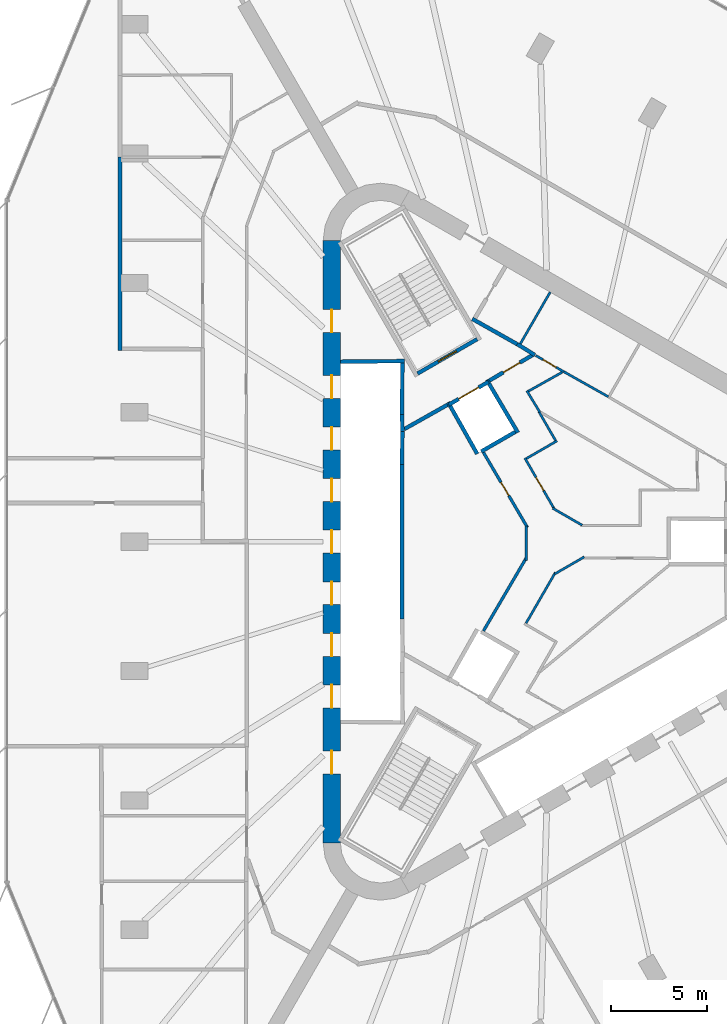
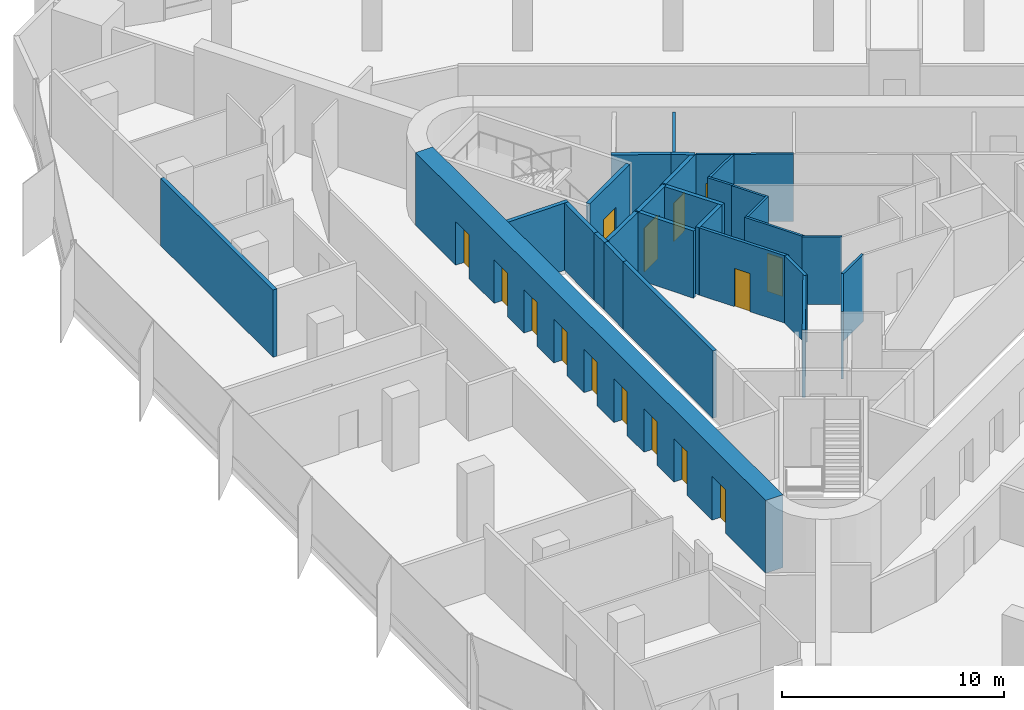
# One storey, part 10 of 14: 30 walls, 15 doors, 15 openings.
"""IFC4 building model written with IfcOpenShell, lengths in metres."""

from ifc_helpers import new_model, si_unit, direction, frame, frame_2d, origin, place, context, subcontext, project, spatial, rectangle, extrude, material, layer, layer_set, type_object, element, fill, save


model = new_model("IFC4")

# Units and contexts
model_context = context("Model", 3, precision=1e-05, world=origin(), true_north=direction((0.0, 1.0)))
body_context = subcontext(model_context, "Body", "Model", "MODEL_VIEW")
ifc_project = project(units=[si_unit("LENGTHUNIT", "METRE"), si_unit("AREAUNIT", "SQUARE_METRE"), si_unit("VOLUMEUNIT", "CUBIC_METRE"), si_unit("PLANEANGLEUNIT", "RADIAN"), si_unit("MASSUNIT", "GRAM", prefix="KILO")], contexts=[model_context])

# Site, building, storey
site_placement = place(None, origin())
site = spatial("IfcSite", under=ifc_project, at=site_placement, CompositionType="ELEMENT")
building_placement = place(site_placement, origin())
building = spatial("IfcBuilding", under=site, at=building_placement, Name="Tanit Gate Tower", CompositionType="ELEMENT")
storey_placement = place(building_placement, frame((0.0, 0.0, 233.199951171875)))
storey = spatial("IfcBuildingStorey", under=building, at=storey_placement, Name="L52", CompositionType="ELEMENT", Elevation=233.199951171875)

# Wall, openings, doors
ifc_material_1 = material(Name="Concrete C50/60", Category="concrete")
ifc_layer_1 = layer(ifc_material_1, 0.89990234375)
ifc_layer_set_1 = layer_set([ifc_layer_1], Name="CORE WALL 900 C50/60")
wall_type_1 = type_object("IfcWallType", Name="CORE WALL 900 C50/60", PredefinedType="SHEAR", material=ifc_layer_set_1)
wall_1_placement = place(storey_placement, frame((-11.64990234375, 15.76171875, 0.0), z_axis=(0.0, 0.0, 1.0), x_axis=(0.0, -1.0, 0.0)))
wall_1 = element("IfcWall", 1, at=wall_1_placement, inside=storey, type_object=wall_type_1, Name="CORE WALL", PredefinedType="SHEAR", context=body_context, shape_type="SweptSolid", body=[
    extrude(rectangle(XDim=31.5234375, YDim=0.89990234375, at=frame_2d((15.76171875, 0.0))), origin(), (0.0, 0.0, 1.0), 4.0),
])
opening_1_placement = place(wall_1_placement, frame((7.061767578125, 0.0, 0.0)))
opening_1 = element("IfcOpeningElement", 2, at=opening_1_placement, cuts=wall_1, Name="Opening LDML1-S14", PredefinedType="OPENING", context=body_context, shape_type="SweptSolid", body=[
    extrude(rectangle(XDim=1.199951171875, YDim=2.39990234375, at=frame_2d((0.60009765625, 1.199951171875))), frame((0.0, 0.4599609375, 0.0), z_axis=(0.0, -1.0, 0.0), x_axis=(1.0, 0.0, 0.0)), (0.0, 0.0, 1.0), 0.919921875),
])
opening_2_placement = place(wall_1_placement, frame((9.76171875, 0.0, 0.0)))
opening_2 = element("IfcOpeningElement", 3, at=opening_2_placement, cuts=wall_1, Name="Opening LDML2-S14", PredefinedType="OPENING", context=body_context, shape_type="SweptSolid", body=[
    extrude(rectangle(XDim=1.199951171875, YDim=2.39990234375, at=frame_2d((0.60009765625, 1.199951171875))), frame((0.0, 0.4599609375, 0.0), z_axis=(0.0, -1.0, 0.0), x_axis=(1.0, 0.0, 0.0)), (0.0, 0.0, 1.0), 0.919921875),
])
opening_3_placement = place(wall_1_placement, frame((12.461669921875, 0.0, 0.0)))
opening_3 = element("IfcOpeningElement", 4, at=opening_3_placement, cuts=wall_1, Name="Opening LDML3-S14", PredefinedType="OPENING", context=body_context, shape_type="SweptSolid", body=[
    extrude(rectangle(XDim=1.199951171875, YDim=2.39990234375, at=frame_2d((0.60009765625, 1.199951171875))), frame((0.0, 0.4599609375, 0.0), z_axis=(0.0, -1.0, 0.0), x_axis=(1.0, 0.0, 0.0)), (0.0, 0.0, 1.0), 0.919921875),
])
opening_4_placement = place(wall_1_placement, frame((15.16162109375, 0.0, 0.0)))
opening_4 = element("IfcOpeningElement", 5, at=opening_4_placement, cuts=wall_1, Name="Opening LDML4-S14", PredefinedType="OPENING", context=body_context, shape_type="SweptSolid", body=[
    extrude(rectangle(XDim=1.199951171875, YDim=2.39990234375, at=frame_2d((0.60009765625, 1.199951171875))), frame((0.0, 0.4599609375, 0.0), z_axis=(0.0, -1.0, 0.0), x_axis=(1.0, 0.0, 0.0)), (0.0, 0.0, 1.0), 0.919921875),
])
opening_5_placement = place(wall_1_placement, frame((17.86181640625, 0.0, 0.0)))
opening_5 = element("IfcOpeningElement", 6, at=opening_5_placement, cuts=wall_1, Name="Opening LDML5-S14", PredefinedType="OPENING", context=body_context, shape_type="SweptSolid", body=[
    extrude(rectangle(XDim=1.199951171875, YDim=2.39990234375, at=frame_2d((0.60009765625, 1.199951171875))), frame((0.0, 0.4599609375, 0.0), z_axis=(0.0, -1.0, 0.0), x_axis=(1.0, 0.0, 0.0)), (0.0, 0.0, 1.0), 0.919921875),
])
opening_6_placement = place(wall_1_placement, frame((20.561767578125, 0.0, 0.0)))
opening_6 = element("IfcOpeningElement", 7, at=opening_6_placement, cuts=wall_1, Name="Opening LDML6-S14", PredefinedType="OPENING", context=body_context, shape_type="SweptSolid", body=[
    extrude(rectangle(XDim=1.199951171875, YDim=2.39990234375, at=frame_2d((0.60009765625, 1.199951171875))), frame((0.0, 0.4599609375, 0.0), z_axis=(0.0, -1.0, 0.0), x_axis=(1.0, 0.0, 0.0)), (0.0, 0.0, 1.0), 0.919921875),
])
opening_7_placement = place(wall_1_placement, frame((23.26171875, 0.0, 0.0)))
opening_7 = element("IfcOpeningElement", 8, at=opening_7_placement, cuts=wall_1, Name="Opening LDML7-S14", PredefinedType="OPENING", context=body_context, shape_type="SweptSolid", body=[
    extrude(rectangle(XDim=1.199951171875, YDim=2.39990234375, at=frame_2d((0.60009765625, 1.199951171875))), frame((0.0, 0.4599609375, 0.0), z_axis=(0.0, -1.0, 0.0), x_axis=(1.0, 0.0, 0.0)), (0.0, 0.0, 1.0), 0.919921875),
])
opening_8_placement = place(wall_1_placement, frame((3.61181640625, 0.0, 0.0)))
opening_8 = element("IfcOpeningElement", 9, at=opening_8_placement, cuts=wall_1, Name="Opening F12-S14-FL2", PredefinedType="OPENING", context=body_context, shape_type="SweptSolid", body=[
    extrude(rectangle(XDim=1.199951171875, YDim=2.39990234375, at=frame_2d((0.60009765625, 1.199951171875))), frame((0.0, 0.4599609375, 0.0), z_axis=(0.0, -1.0, 0.0), x_axis=(1.0, 0.0, 0.0)), (0.0, 0.0, 1.0), 0.919921875),
])
opening_9_placement = place(wall_1_placement, frame((26.711669921875, 0.0, 0.0)))
opening_9 = element("IfcOpeningElement", 10, at=opening_9_placement, cuts=wall_1, Name="Opening F12-S14-S3", PredefinedType="OPENING", context=body_context, shape_type="SweptSolid", body=[
    extrude(rectangle(XDim=1.199951171875, YDim=2.39990234375, at=frame_2d((0.60009765625, 1.199951171875))), frame((0.0, 0.4599609375, 0.0), z_axis=(0.0, -1.0, 0.0), x_axis=(1.0, 0.0, 0.0)), (0.0, 0.0, 1.0), 0.919921875),
])
ifc_material_2 = material(Name="Fire-rated steel door leaf", Category="steel")
door_type_1 = type_object("IfcDoorType", Name="INT-DOOR-FIRE-LOBBY-1200", OperationType="NOTDEFINED", PredefinedType="USERDEFINED", material=ifc_material_2)
door_1_placement = place(opening_8_placement, origin())
door_1 = element("IfcDoor", 11, at=door_1_placement, inside=storey, type_object=door_type_1, Name="Door F12-S14-FL2", ObjectType="FIRE DOOR", OperationType="SINGLE_SWING_LEFT", OverallHeight=2.39990234375, OverallWidth=1.199951171875, PredefinedType="USERDEFINED", context=body_context, shape_type="SweptSolid", body=[
    extrude(rectangle(XDim=1.199951171875, YDim=2.39990234375, at=frame_2d((0.60009765625, 1.199951171875))), frame((0.0, 0.02490234375, 0.0), z_axis=(0.0, -1.0, 0.0), x_axis=(1.0, 0.0, 0.0)), (0.0, 0.0, 1.0), 0.050048828125),
])
fill(opening_8, door_1)
door_2_placement = place(opening_9_placement, origin())
door_2 = element("IfcDoor", 12, at=door_2_placement, inside=storey, type_object=door_type_1, Name="Door F12-S14-S3", ObjectType="FIRE DOOR", OperationType="SINGLE_SWING_LEFT", OverallHeight=2.39990234375, OverallWidth=1.199951171875, PredefinedType="USERDEFINED", context=body_context, shape_type="SweptSolid", body=[
    extrude(rectangle(XDim=1.199951171875, YDim=2.39990234375, at=frame_2d((0.60009765625, 1.199951171875))), frame((0.0, 0.02490234375, 0.0), z_axis=(0.0, -1.0, 0.0), x_axis=(1.0, 0.0, 0.0)), (0.0, 0.0, 1.0), 0.050048828125),
])
fill(opening_9, door_2)
ifc_material_3 = material(Name="Stainless steel sliding door leaf", Category="steel")
door_type_2 = type_object("IfcDoorType", Name="INT-DOOR-LANDING-1200", OperationType="NOTDEFINED", PredefinedType="USERDEFINED", material=ifc_material_3)
door_3_placement = place(opening_1_placement, origin())
door_3 = element("IfcDoor", 13, at=door_3_placement, inside=storey, type_object=door_type_2, Name="Door LDML1-S14", ObjectType="LANDING DOOR", OperationType="SLIDING_TO_LEFT", OverallHeight=2.39990234375, OverallWidth=1.199951171875, PredefinedType="USERDEFINED", context=body_context, shape_type="SweptSolid", body=[
    extrude(rectangle(XDim=1.199951171875, YDim=2.39990234375, at=frame_2d((0.60009765625, 1.199951171875))), frame((0.0, 0.02490234375, 0.0), z_axis=(0.0, -1.0, 0.0), x_axis=(1.0, 0.0, 0.0)), (0.0, 0.0, 1.0), 0.050048828125),
])
fill(opening_1, door_3)
door_4_placement = place(opening_2_placement, origin())
door_4 = element("IfcDoor", 14, at=door_4_placement, inside=storey, type_object=door_type_2, Name="Door LDML2-S14", ObjectType="LANDING DOOR", OperationType="SLIDING_TO_LEFT", OverallHeight=2.39990234375, OverallWidth=1.199951171875, PredefinedType="USERDEFINED", context=body_context, shape_type="SweptSolid", body=[
    extrude(rectangle(XDim=1.199951171875, YDim=2.39990234375, at=frame_2d((0.60009765625, 1.199951171875))), frame((0.0, 0.02490234375, 0.0), z_axis=(0.0, -1.0, 0.0), x_axis=(1.0, 0.0, 0.0)), (0.0, 0.0, 1.0), 0.050048828125),
])
fill(opening_2, door_4)
door_5_placement = place(opening_3_placement, origin())
door_5 = element("IfcDoor", 15, at=door_5_placement, inside=storey, type_object=door_type_2, Name="Door LDML3-S14", ObjectType="LANDING DOOR", OperationType="SLIDING_TO_LEFT", OverallHeight=2.39990234375, OverallWidth=1.199951171875, PredefinedType="USERDEFINED", context=body_context, shape_type="SweptSolid", body=[
    extrude(rectangle(XDim=1.199951171875, YDim=2.39990234375, at=frame_2d((0.60009765625, 1.199951171875))), frame((0.0, 0.02490234375, 0.0), z_axis=(0.0, -1.0, 0.0), x_axis=(1.0, 0.0, 0.0)), (0.0, 0.0, 1.0), 0.050048828125),
])
fill(opening_3, door_5)
door_6_placement = place(opening_4_placement, origin())
door_6 = element("IfcDoor", 16, at=door_6_placement, inside=storey, type_object=door_type_2, Name="Door LDML4-S14", ObjectType="LANDING DOOR", OperationType="SLIDING_TO_LEFT", OverallHeight=2.39990234375, OverallWidth=1.199951171875, PredefinedType="USERDEFINED", context=body_context, shape_type="SweptSolid", body=[
    extrude(rectangle(XDim=1.199951171875, YDim=2.39990234375, at=frame_2d((0.60009765625, 1.199951171875))), frame((0.0, 0.02490234375, 0.0), z_axis=(0.0, -1.0, 0.0), x_axis=(1.0, 0.0, 0.0)), (0.0, 0.0, 1.0), 0.050048828125),
])
fill(opening_4, door_6)
door_7_placement = place(opening_5_placement, origin())
door_7 = element("IfcDoor", 17, at=door_7_placement, inside=storey, type_object=door_type_2, Name="Door LDML5-S14", ObjectType="LANDING DOOR", OperationType="SLIDING_TO_LEFT", OverallHeight=2.39990234375, OverallWidth=1.199951171875, PredefinedType="USERDEFINED", context=body_context, shape_type="SweptSolid", body=[
    extrude(rectangle(XDim=1.199951171875, YDim=2.39990234375, at=frame_2d((0.60009765625, 1.199951171875))), frame((0.0, 0.02490234375, 0.0), z_axis=(0.0, -1.0, 0.0), x_axis=(1.0, 0.0, 0.0)), (0.0, 0.0, 1.0), 0.050048828125),
])
fill(opening_5, door_7)
door_8_placement = place(opening_6_placement, origin())
door_8 = element("IfcDoor", 18, at=door_8_placement, inside=storey, type_object=door_type_2, Name="Door LDML6-S14", ObjectType="LANDING DOOR", OperationType="SLIDING_TO_LEFT", OverallHeight=2.39990234375, OverallWidth=1.199951171875, PredefinedType="USERDEFINED", context=body_context, shape_type="SweptSolid", body=[
    extrude(rectangle(XDim=1.199951171875, YDim=2.39990234375, at=frame_2d((0.60009765625, 1.199951171875))), frame((0.0, 0.02490234375, 0.0), z_axis=(0.0, -1.0, 0.0), x_axis=(1.0, 0.0, 0.0)), (0.0, 0.0, 1.0), 0.050048828125),
])
fill(opening_6, door_8)
door_9_placement = place(opening_7_placement, origin())
door_9 = element("IfcDoor", 19, at=door_9_placement, inside=storey, type_object=door_type_2, Name="Door LDML7-S14", ObjectType="LANDING DOOR", OperationType="SLIDING_TO_LEFT", OverallHeight=2.39990234375, OverallWidth=1.199951171875, PredefinedType="USERDEFINED", context=body_context, shape_type="SweptSolid", body=[
    extrude(rectangle(XDim=1.199951171875, YDim=2.39990234375, at=frame_2d((0.60009765625, 1.199951171875))), frame((0.0, 0.02490234375, 0.0), z_axis=(0.0, -1.0, 0.0), x_axis=(1.0, 0.0, 0.0)), (0.0, 0.0, 1.0), 0.050048828125),
])
fill(opening_7, door_9)

# Walls
ifc_material_4 = material(Name="Fire-rated gypsum board partition")
ifc_layer_2 = layer(ifc_material_4, 0.199951171875)
ifc_layer_set_2 = layer_set([ifc_layer_2], Name="INT-WALL-COMPARTMENT")
wall_type_2 = type_object("IfcWallType", Name="INT-WALL-COMPARTMENT", PredefinedType="PARTITIONING", material=ifc_layer_set_2)
wall_2_placement = place(storey_placement, frame((-1.940673828125, 10.338623046875, 0.0), z_axis=(0.0, 0.0, 1.0), x_axis=(0.850216889117, -0.526432561171, 0.0)))
element("IfcWall", 20, at=wall_2_placement, inside=storey, type_object=wall_type_2, Name="Wall Compartment W054", PredefinedType="PARTITIONING", context=body_context, shape_type="SweptSolid", body=[
    extrude(rectangle(XDim=1.078369140625, YDim=0.199951171875, at=frame_2d((0.5390625, 0.0))), origin(), (0.0, 0.0, 1.0), 3.699951171875),
])
wall_3_placement = place(storey_placement, frame((-4.296142578125, 11.658935546875, 0.0), z_axis=(0.0, 0.0, 1.0), x_axis=(0.871534483978, -0.490334215854, 0.0)))
element("IfcWall", 21, at=wall_3_placement, inside=storey, type_object=wall_type_2, Name="Wall Compartment W057", PredefinedType="PARTITIONING", context=body_context, shape_type="SweptSolid", body=[
    extrude(rectangle(XDim=2.7001953125, YDim=0.199951171875, at=frame_2d((1.35009765625, 0.0))), origin(), (0.0, 0.0, 1.0), 3.699951171875),
])
wall_4_placement = place(storey_placement, frame((-5.600341796875, 7.16015625, 0.0), z_axis=(0.0, 0.0, 1.0), x_axis=(-0.871340486379, -0.490678873396, 0.0)))
element("IfcWall", 22, at=wall_4_placement, inside=storey, type_object=wall_type_2, Name="Wall Compartment W063", PredefinedType="PARTITIONING", context=body_context, shape_type="SweptSolid", body=[
    extrude(rectangle(XDim=2.580810546875, YDim=0.199951171875, at=frame_2d((1.29052734375, 0.0))), origin(), (0.0, 0.0, 1.0), 3.699951171875),
])

# Wall, opening, door
wall_5_placement = place(storey_placement, frame((-1.069091796875, 9.809814453125, 0.0), z_axis=(0.0, 0.0, 1.0), x_axis=(-0.860617791406, -0.509251428192, 0.0)))
wall_5 = element("IfcWall", 23, at=wall_5_placement, inside=storey, type_object=wall_type_2, Name="Wall Compartment W064", PredefinedType="PARTITIONING", context=body_context, shape_type="SweptSolid", body=[
    extrude(rectangle(XDim=2.709228515625, YDim=0.199951171875, at=frame_2d((1.3544921875, 0.0))), origin(), (0.0, 0.0, 1.0), 3.699951171875),
])
opening_10_placement = place(wall_5_placement, frame((0.86083984375, 0.0, 0.0)))
opening_10 = element("IfcOpeningElement", 24, at=opening_10_placement, cuts=wall_5, Name="Opening F10-S14-05", PredefinedType="OPENING", context=body_context, shape_type="SweptSolid", body=[
    extrude(rectangle(XDim=1.0, YDim=2.10009765625, at=frame_2d((0.5, 1.050048828125))), frame((0.0, 0.10986328125, 0.0), z_axis=(0.0, -1.0, 0.0), x_axis=(1.0, 0.0, 0.0)), (0.0, 0.0, 1.0), 0.219970703125),
])
ifc_material_5 = material(Name="Fire-rated steel door leaf", Category="steel")
door_type_3 = type_object("IfcDoorType", Name="INT-DOOR-FIRE-1000", OperationType="NOTDEFINED", PredefinedType="USERDEFINED", material=ifc_material_5)
door_10_placement = place(opening_10_placement, origin())
door_10 = element("IfcDoor", 25, at=door_10_placement, inside=storey, type_object=door_type_3, Name="Door F10-S14-05", ObjectType="FIRE DOOR", OperationType="SINGLE_SWING_RIGHT", OverallHeight=2.10009765625, OverallWidth=1.0, PredefinedType="USERDEFINED", context=body_context, shape_type="SweptSolid", body=[
    extrude(rectangle(XDim=1.0, YDim=2.10009765625, at=frame_2d((0.5, 1.050048828125))), frame((0.0, 0.02490234375, 0.0), z_axis=(0.0, -1.0, 0.0), x_axis=(1.0, 0.0, 0.0)), (0.0, 0.0, 1.0), 0.050048828125),
])
fill(opening_10, door_10)

# Wall
wall_6_placement = place(storey_placement, frame((-22.72998046875, 10.0, 0.0), z_axis=(0.0, 0.0, 1.0), x_axis=(0.0, 1.0, 0.0)))
element("IfcWall", 26, at=wall_6_placement, inside=storey, type_object=wall_type_2, Name="Wall Compartment W139", PredefinedType="PARTITIONING", context=body_context, shape_type="SweptSolid", body=[
    extrude(rectangle(XDim=10.124267578125, YDim=0.199951171875, at=frame_2d((5.06201171875, 0.0))), origin(), (0.0, 0.0, 1.0), 3.699951171875),
])

# Wall, opening, door
ifc_material_6 = material(Name="Gypsum board partition")
ifc_layer_3 = layer(ifc_material_6, 0.1201171875)
ifc_layer_set_3 = layer_set([ifc_layer_3], Name="INT-WALL-PARTITION")
wall_type_3 = type_object("IfcWallType", Name="INT-WALL-PARTITION", PredefinedType="PARTITIONING", material=ifc_layer_set_3)
wall_7_placement = place(storey_placement, frame((-0.980712890625, 9.74609375, 0.0), z_axis=(0.0, 0.0, 1.0), x_axis=(0.866027945518, -0.499995597562, 0.0)))
wall_7 = element("IfcWall", 27, at=wall_7_placement, inside=storey, type_object=wall_type_3, Name="Wall Partition W056", PredefinedType="PARTITIONING", context=body_context, shape_type="SweptSolid", body=[
    extrude(rectangle(XDim=1.7021484375, YDim=0.1201171875, at=frame_2d((0.85107421875, 0.0))), origin(), (0.0, 0.0, 1.0), 3.699951171875),
])
opening_11_placement = place(wall_7_placement, frame((0.440673828125, 0.0, 0.0)))
opening_11 = element("IfcOpeningElement", 28, at=opening_11_placement, cuts=wall_7, Name="Opening R08-S14-16", PredefinedType="OPENING", context=body_context, shape_type="SweptSolid", body=[
    extrude(rectangle(XDim=0.800048828125, YDim=2.10009765625, at=frame_2d((0.39990234375, 1.050048828125))), frame((0.0, 0.070068359375, 0.0), z_axis=(0.0, -1.0, 0.0), x_axis=(1.0, 0.0, 0.0)), (0.0, 0.0, 1.0), 0.14013671875),
])
ifc_material_7 = material(Name="Timber door leaf", Category="wood")
door_type_4 = type_object("IfcDoorType", Name="INT-DOOR-RISER-800", OperationType="NOTDEFINED", PredefinedType="USERDEFINED", material=ifc_material_7)
door_11_placement = place(opening_11_placement, origin())
door_11 = element("IfcDoor", 29, at=door_11_placement, inside=storey, type_object=door_type_4, Name="Door R08-S14-16", ObjectType="FIRE DOOR", OperationType="SINGLE_SWING_RIGHT", OverallHeight=2.10009765625, OverallWidth=0.800048828125, PredefinedType="USERDEFINED", context=body_context, shape_type="SweptSolid", body=[
    extrude(rectangle(XDim=0.800048828125, YDim=2.10009765625, at=frame_2d((0.39990234375, 1.050048828125))), frame((0.0, 0.02490234375, 0.0), z_axis=(0.0, -1.0, 0.0), x_axis=(1.0, 0.0, 0.0)), (0.0, 0.0, 1.0), 0.050048828125),
])
fill(opening_11, door_11)

# Walls
wall_8_placement = place(storey_placement, frame((-0.2197265625, 13.0595703125, 0.0), z_axis=(0.0, 0.0, 1.0), x_axis=(-0.499984717929, -0.866034226713, 0.0)))
element("IfcWall", 30, at=wall_8_placement, inside=storey, type_object=wall_type_3, Name="Wall Partition W053", PredefinedType="PARTITIONING", context=body_context, shape_type="SweptSolid", body=[
    extrude(rectangle(XDim=3.25, YDim=0.1201171875, at=frame_2d((1.625, 0.0))), origin(), (0.0, 0.0, 1.0), 3.699951171875),
])
wall_9_placement = place(storey_placement, frame((2.82080078125, 7.5859375, 0.0), z_axis=(0.0, 0.0, 1.0), x_axis=(-0.871426548871, 0.490526013503, 0.0)))
element("IfcWall", 31, at=wall_9_placement, inside=storey, type_object=wall_type_3, Name="Wall Partition W055", PredefinedType="PARTITIONING", context=body_context, shape_type="SweptSolid", body=[
    extrude(rectangle(XDim=2.670166015625, YDim=0.1201171875, at=frame_2d((1.3349609375, 0.0))), origin(), (0.0, 0.0, 1.0), 3.699951171875),
])
wall_10_placement = place(storey_placement, frame((0.052001953125, -1.610107421875, 0.0), z_axis=(0.0, 0.0, 1.0), x_axis=(-0.500011413361, -0.866018814177, 0.0)))
element("IfcWall", 32, at=wall_10_placement, inside=storey, type_object=wall_type_3, Name="Wall Partition W075", PredefinedType="PARTITIONING", context=body_context, shape_type="SweptSolid", body=[
    extrude(rectangle(XDim=3.07177734375, YDim=0.1201171875, at=frame_2d((1.535888671875, 0.0))), origin(), (0.0, 0.0, 1.0), 3.699951171875),
])
wall_11_placement = place(storey_placement, frame((1.560791015625, -0.798828125, 0.0), z_axis=(0.0, 0.0, 1.0), x_axis=(-0.866019189511, -0.500010763282, 0.0)))
element("IfcWall", 33, at=wall_11_placement, inside=storey, type_object=wall_type_3, Name="Wall Partition W076", PredefinedType="PARTITIONING", context=body_context, shape_type="SweptSolid", body=[
    extrude(rectangle(XDim=1.78369140625, YDim=0.1201171875, at=frame_2d((0.891845703125, 0.0))), origin(), (0.0, 0.0, 1.0), 3.699951171875),
])
wall_12_placement = place(storey_placement, frame((-1.44287109375, 7.896484375, 0.0), z_axis=(0.0, 0.0, 1.0), x_axis=(0.520289543849, -0.853989924157, 0.0)))
element("IfcWall", 34, at=wall_12_placement, inside=storey, type_object=wall_type_3, Name="Wall Partition W079", PredefinedType="PARTITIONING", context=body_context, shape_type="SweptSolid", body=[
    extrude(rectangle(XDim=1.31103515625, YDim=0.1201171875, at=frame_2d((0.655517578125, 0.0))), origin(), (0.0, 0.0, 1.0), 3.699951171875),
])
wall_13_placement = place(storey_placement, frame((0.414306640625, 8.87109375, 0.0), z_axis=(0.0, 0.0, 1.0), x_axis=(-0.871809386997, -0.48984527429, 0.0)))
element("IfcWall", 35, at=wall_13_placement, inside=storey, type_object=wall_type_3, Name="Wall Partition W080", PredefinedType="PARTITIONING", context=body_context, shape_type="SweptSolid", body=[
    extrude(rectangle(XDim=2.034423828125, YDim=0.1201171875, at=frame_2d((1.01708984375, 0.0))), origin(), (0.0, 0.0, 1.0), 3.699951171875),
])
wall_14_placement = place(storey_placement, frame((-0.090087890625, 1.751953125, 0.0), z_axis=(0.0, 0.0, 1.0), x_axis=(0.866046676307, -0.4999631531, 0.0)))
element("IfcWall", 36, at=wall_14_placement, inside=storey, type_object=wall_type_3, Name="Wall Partition W086", PredefinedType="PARTITIONING", context=body_context, shape_type="SweptSolid", body=[
    extrude(rectangle(XDim=1.785400390625, YDim=0.1201171875, at=frame_2d((0.892578125, 0.0))), origin(), (0.0, 0.0, 1.0), 3.699951171875),
])

# Wall, opening, door
wall_15_placement = place(storey_placement, frame((-1.5439453125, 4.3740234375, 0.0), z_axis=(0.0, 0.0, 1.0), x_axis=(0.500023124857, -0.86601205223, 0.0)))
wall_15 = element("IfcWall", 37, at=wall_15_placement, inside=storey, type_object=wall_type_3, Name="Wall Partition W087", PredefinedType="PARTITIONING", context=body_context, shape_type="SweptSolid", body=[
    extrude(rectangle(XDim=3.069091796875, YDim=0.1201171875, at=frame_2d((1.53466796875, 0.0))), origin(), (0.0, 0.0, 1.0), 3.699951171875),
])
opening_12_placement = place(wall_15_placement, frame((1.16455078125, 0.0, 0.0)))
opening_12 = element("IfcOpeningElement", 38, at=opening_12_placement, cuts=wall_15, Name="Opening R08-S14-14", PredefinedType="OPENING", context=body_context, shape_type="SweptSolid", body=[
    extrude(rectangle(XDim=0.800048828125, YDim=2.10009765625, at=frame_2d((0.39990234375, 1.050048828125))), frame((0.0, 0.070068359375, 0.0), z_axis=(0.0, -1.0, 0.0), x_axis=(1.0, 0.0, 0.0)), (0.0, 0.0, 1.0), 0.14013671875),
])
door_12_placement = place(opening_12_placement, origin())
door_12 = element("IfcDoor", 39, at=door_12_placement, inside=storey, type_object=door_type_4, Name="Door R08-S14-14", ObjectType="FIRE DOOR", OperationType="SINGLE_SWING_LEFT", OverallHeight=2.10009765625, OverallWidth=0.800048828125, PredefinedType="USERDEFINED", context=body_context, shape_type="SweptSolid", body=[
    extrude(rectangle(XDim=0.800048828125, YDim=2.10009765625, at=frame_2d((0.39990234375, 1.050048828125))), frame((0.0, 0.02490234375, 0.0), z_axis=(0.0, -1.0, 0.0), x_axis=(1.0, 0.0, 0.0)), (0.0, 0.0, 1.0), 0.050048828125),
])
fill(opening_12, door_12)

# Walls
wall_16_placement = place(storey_placement, frame((0.14013671875, 5.277099609375, 0.0), z_axis=(0.0, 0.0, 1.0), x_axis=(-0.866000971088, -0.500042316284, 0.0)))
element("IfcWall", 40, at=wall_16_placement, inside=storey, type_object=wall_type_3, Name="Wall Partition W088", PredefinedType="PARTITIONING", context=body_context, shape_type="SweptSolid", body=[
    extrude(rectangle(XDim=1.849853515625, YDim=0.1201171875, at=frame_2d((0.9248046875, 0.0))), origin(), (0.0, 0.0, 1.0), 3.699951171875),
])
wall_17_placement = place(storey_placement, frame((-0.81201171875, 6.806396484375, 0.0), z_axis=(0.0, 0.0, 1.0), x_axis=(0.500046227757, -0.865998712531, 0.0)))
element("IfcWall", 41, at=wall_17_placement, inside=storey, type_object=wall_type_3, Name="Wall Partition W089", PredefinedType="PARTITIONING", context=body_context, shape_type="SweptSolid", body=[
    extrude(rectangle(XDim=1.740478515625, YDim=0.1201171875, at=frame_2d((0.8701171875, 0.0))), origin(), (0.0, 0.0, 1.0), 3.699951171875),
])

# Wall, opening, door
ifc_material_8 = material(Name="Fire-rated gypsum board partition")
ifc_layer_4 = layer(ifc_material_8, 0.14990234375)
ifc_layer_set_4 = layer_set([ifc_layer_4], Name="INT-WALL-RISER")
wall_type_4 = type_object("IfcWallType", Name="INT-WALL-RISER", PredefinedType="PLUMBINGWALL", material=ifc_layer_set_4)
wall_18_placement = place(storey_placement, frame((-1.407470703125, 0.739501953125, 0.0), z_axis=(0.0, 0.0, 1.0), x_axis=(-0.505642484845, 0.862743112125, 0.0)))
wall_18 = element("IfcWall", 42, at=wall_18_placement, inside=storey, type_object=wall_type_4, Name="Wall Riser W067", PredefinedType="PLUMBINGWALL", context=body_context, shape_type="SweptSolid", body=[
    extrude(rectangle(XDim=4.555908203125, YDim=0.14990234375, at=frame_2d((2.27783203125, 0.0))), origin(), (0.0, 0.0, 1.0), 3.699951171875),
])
opening_13_placement = place(wall_18_placement, frame((1.94189453125, 0.0, 0.0)))
opening_13 = element("IfcOpeningElement", 43, at=opening_13_placement, cuts=wall_18, Name="Opening R08-S14-10", PredefinedType="OPENING", context=body_context, shape_type="SweptSolid", body=[
    extrude(rectangle(XDim=0.800048828125, YDim=2.10009765625, at=frame_2d((0.39990234375, 1.050048828125))), frame((0.0, 0.0849609375, 0.0), z_axis=(0.0, -1.0, 0.0), x_axis=(1.0, 0.0, 0.0)), (0.0, 0.0, 1.0), 0.169921875),
])
door_13_placement = place(opening_13_placement, origin())
door_13 = element("IfcDoor", 44, at=door_13_placement, inside=storey, type_object=door_type_4, Name="Door R08-S14-10", ObjectType="FIRE DOOR", OperationType="SINGLE_SWING_LEFT", OverallHeight=2.10009765625, OverallWidth=0.800048828125, PredefinedType="USERDEFINED", context=body_context, shape_type="SweptSolid", body=[
    extrude(rectangle(XDim=0.800048828125, YDim=2.10009765625, at=frame_2d((0.39990234375, 1.050048828125))), frame((0.0, 0.02490234375, 0.0), z_axis=(0.0, -1.0, 0.0), x_axis=(1.0, 0.0, 0.0)), (0.0, 0.0, 1.0), 0.050048828125),
])
fill(opening_13, door_13)

# Walls
wall_19_placement = place(storey_placement, frame((-1.47216796875, -0.97802734375, 0.0), z_axis=(0.0, 0.0, 1.0), x_axis=(0.0, 1.0, 0.0)))
element("IfcWall", 45, at=wall_19_placement, inside=storey, type_object=wall_type_4, Name="Wall Riser W068", PredefinedType="PLUMBINGWALL", context=body_context, shape_type="SweptSolid", body=[
    extrude(rectangle(XDim=1.804443359375, YDim=0.14990234375, at=frame_2d((0.90234375, 0.0))), origin(), (0.0, 0.0, 1.0), 3.699951171875),
])
wall_20_placement = place(storey_placement, frame((-3.711181640625, -4.670166015625, 0.0), z_axis=(0.0, 0.0, 1.0), x_axis=(0.505648368764, 0.86273966361, 0.0)))
element("IfcWall", 46, at=wall_20_placement, inside=storey, type_object=wall_type_4, Name="Wall Riser W069", PredefinedType="PLUMBINGWALL", context=body_context, shape_type="SweptSolid", body=[
    extrude(rectangle(XDim=4.404296875, YDim=0.14990234375, at=frame_2d((2.2021484375, 0.0))), origin(), (0.0, 0.0, 1.0), 3.699951171875),
])
ifc_material_9 = material(Name="Gypsum shaft wall system")
ifc_layer_5 = layer(ifc_material_9, 0.199951171875)
ifc_layer_set_5 = layer_set([ifc_layer_5], Name="INT-WALL-SHAFT")
wall_type_5 = type_object("IfcWallType", Name="INT-WALL-SHAFT", PredefinedType="PLUMBINGWALL", material=ifc_layer_set_5)
wall_21_placement = place(storey_placement, frame((-11.199951171875, 9.419921875, 0.0), z_axis=(0.0, 0.0, 1.0), x_axis=(0.999957167047, 0.009255488683, 0.0)))
element("IfcWall", 47, at=wall_21_placement, inside=storey, type_object=wall_type_5, Name="Wall Shaft W001", PredefinedType="PLUMBINGWALL", context=body_context, shape_type="SweptSolid", body=[
    extrude(rectangle(XDim=3.35009765625, YDim=0.199951171875, at=frame_2d((1.675048828125, 0.0))), origin(), (0.0, 0.0, 1.0), 3.699951171875),
])
wall_22_placement = place(storey_placement, frame((-7.951171875, 9.35009765625, 0.0), z_axis=(0.0, 0.0, 1.0), x_axis=(-0.011120469654, -0.999938165666, 0.0)))
element("IfcWall", 48, at=wall_22_placement, inside=storey, type_object=wall_type_5, Name="Wall Shaft W002", PredefinedType="PLUMBINGWALL", context=body_context, shape_type="SweptSolid", body=[
    extrude(rectangle(XDim=2.700439453125, YDim=0.199951171875, at=frame_2d((1.35009765625, 0.0))), origin(), (0.0, 0.0, 1.0), 3.699951171875),
])
wall_23_placement = place(storey_placement, frame((-7.97705078125, 6.650146484375, 0.0), z_axis=(0.0, 0.0, 1.0), x_axis=(0.030861509705, -0.999523670164, 0.0)))
element("IfcWall", 49, at=wall_23_placement, inside=storey, type_object=wall_type_5, Name="Wall Shaft W003", PredefinedType="PLUMBINGWALL", context=body_context, shape_type="SweptSolid", body=[
    extrude(rectangle(XDim=0.878173828125, YDim=0.199951171875, at=frame_2d((0.43896484375, 0.0))), origin(), (0.0, 0.0, 1.0), 3.699951171875),
])
wall_24_placement = place(storey_placement, frame((-7.948974609375, 5.894287109375, 0.0), z_axis=(0.0, 0.0, 1.0), x_axis=(-0.016809909365, -0.999858703491, 0.0)))
element("IfcWall", 50, at=wall_24_placement, inside=storey, type_object=wall_type_5, Name="Wall Shaft W004", PredefinedType="PLUMBINGWALL", context=body_context, shape_type="SweptSolid", body=[
    extrude(rectangle(XDim=1.844482421875, YDim=0.199951171875, at=frame_2d((0.92236328125, 0.0))), origin(), (0.0, 0.0, 1.0), 3.699951171875),
])
wall_25_placement = place(storey_placement, frame((-7.97998046875, 4.050048828125, 0.0), z_axis=(0.0, 0.0, 1.0), x_axis=(0.0, -1.0, 0.0)))
element("IfcWall", 51, at=wall_25_placement, inside=storey, type_object=wall_type_5, Name="Wall Shaft W005", PredefinedType="PLUMBINGWALL", context=body_context, shape_type="SweptSolid", body=[
    extrude(rectangle(XDim=8.10009765625, YDim=0.199951171875, at=frame_2d((4.050048828125, 0.0))), origin(), (0.0, 0.0, 1.0), 3.699951171875),
])

# Wall, opening, door
wall_26_placement = place(storey_placement, frame((-5.524169921875, 7.168212890625, 0.0), z_axis=(0.0, 0.0, 1.0), x_axis=(0.866024647952, 0.500001309137, 0.0)))
wall_26 = element("IfcWall", 52, at=wall_26_placement, inside=storey, type_object=wall_type_5, Name="Wall Shaft W037", PredefinedType="PLUMBINGWALL", context=body_context, shape_type="SweptSolid", body=[
    extrude(rectangle(XDim=2.39990234375, YDim=0.199951171875, at=frame_2d((1.199951171875, 0.0))), origin(), (0.0, 0.0, 1.0), 3.699951171875),
])
opening_14_placement = place(wall_26_placement, frame((0.60009765625, 0.0, 0.0)))
opening_14 = element("IfcOpeningElement", 53, at=opening_14_placement, cuts=wall_26, Name="Opening LDFL2-L52", PredefinedType="OPENING", context=body_context, shape_type="SweptSolid", body=[
    extrude(rectangle(XDim=1.199951171875, YDim=2.39990234375, at=frame_2d((0.60009765625, 1.199951171875))), frame((0.0, 0.10986328125, 0.0), z_axis=(0.0, -1.0, 0.0), x_axis=(1.0, 0.0, 0.0)), (0.0, 0.0, 1.0), 0.219970703125),
])
door_14_placement = place(opening_14_placement, origin())
door_14 = element("IfcDoor", 54, at=door_14_placement, inside=storey, type_object=door_type_2, Name="Door LDFL2-L52", ObjectType="LANDING DOOR", OperationType="SLIDING_TO_LEFT", OverallHeight=2.39990234375, OverallWidth=1.199951171875, PredefinedType="USERDEFINED", context=body_context, shape_type="SweptSolid", body=[
    extrude(rectangle(XDim=1.199951171875, YDim=2.39990234375, at=frame_2d((0.60009765625, 1.199951171875))), frame((0.0, 0.02490234375, 0.0), z_axis=(0.0, -1.0, 0.0), x_axis=(1.0, 0.0, 0.0)), (0.0, 0.0, 1.0), 0.050048828125),
])
fill(opening_14, door_14)

# Walls
wall_27_placement = place(storey_placement, frame((-4.039306640625, 4.59619140625, 0.0), z_axis=(0.0, 0.0, 1.0), x_axis=(-0.491322718731, 0.870977603649, 0.0)))
element("IfcWall", 55, at=wall_27_placement, inside=storey, type_object=wall_type_5, Name="Wall Shaft W038", PredefinedType="PLUMBINGWALL", context=body_context, shape_type="SweptSolid", body=[
    extrude(rectangle(XDim=3.10009765625, YDim=0.199951171875, at=frame_2d((1.550048828125, 0.0))), origin(), (0.0, 0.0, 1.0), 3.699951171875),
])
wall_28_placement = place(storey_placement, frame((-3.53759765625, 8.46533203125, 0.0), z_axis=(0.0, 0.0, 1.0), x_axis=(0.508616218331, -0.860993346345, 0.0)))
element("IfcWall", 56, at=wall_28_placement, inside=storey, type_object=wall_type_5, Name="Wall Shaft W039", PredefinedType="PLUMBINGWALL", context=body_context, shape_type="SweptSolid", body=[
    extrude(rectangle(XDim=3.2001953125, YDim=0.199951171875, at=frame_2d((1.60009765625, 0.0))), origin(), (0.0, 0.0, 1.0), 3.699951171875),
])
wall_29_placement = place(storey_placement, frame((-2.04736328125, 5.74609375, 0.0), z_axis=(0.0, 0.0, 1.0), x_axis=(-0.86606290101, -0.499935047276, 0.0)))
element("IfcWall", 57, at=wall_29_placement, inside=storey, type_object=wall_type_5, Name="Wall Shaft W040", PredefinedType="PLUMBINGWALL", context=body_context, shape_type="SweptSolid", body=[
    extrude(rectangle(XDim=2.054443359375, YDim=0.199951171875, at=frame_2d((1.02734375, 0.0))), origin(), (0.0, 0.0, 1.0), 3.699951171875),
])

# Wall, opening, door
ifc_material_10 = material(Name="Concrete C40/50", Category="concrete")
ifc_layer_6 = layer(ifc_material_10, 0.199951171875)
ifc_layer_set_6 = layer_set([ifc_layer_6], Name="INT-WALL-STAIR")
wall_type_6 = type_object("IfcWallType", Name="INT-WALL-STAIR", PredefinedType="SHEAR", material=ifc_layer_set_6)
wall_30_placement = place(storey_placement, frame((-7.158935546875, 8.799560546875, -0.300048828125), z_axis=(0.0, 0.0, 1.0), x_axis=(0.866047807691, 0.499961193289, 0.0)))
wall_30 = element("IfcWall", 58, at=wall_30_placement, inside=storey, type_object=wall_type_6, Name="Wall Stair W036", PredefinedType="SHEAR", context=body_context, shape_type="SweptSolid", body=[
    extrude(rectangle(XDim=3.599853515625, YDim=0.199951171875, at=frame_2d((1.7998046875, 0.0))), origin(), (0.0, 0.0, 1.0), 4.0),
])
opening_15_placement = place(wall_30_placement, frame((1.25, 0.0, 0.300048828125)))
opening_15 = element("IfcOpeningElement", 59, at=opening_15_placement, cuts=wall_30, Name="Opening S11-S14-04", PredefinedType="OPENING", context=body_context, shape_type="SweptSolid", body=[
    extrude(rectangle(XDim=1.10009765625, YDim=2.10009765625, at=frame_2d((0.550048828125, 1.050048828125))), frame((0.0, 0.10986328125, 0.0), z_axis=(0.0, -1.0, 0.0), x_axis=(1.0, 0.0, 0.0)), (0.0, 0.0, 1.0), 0.219970703125),
])
ifc_material_11 = material(Name="Timber door leaf", Category="wood")
door_type_5 = type_object("IfcDoorType", Name="INT-DOOR-STAIR-1100", OperationType="NOTDEFINED", PredefinedType="USERDEFINED", material=ifc_material_11)
door_15_placement = place(opening_15_placement, origin())
door_15 = element("IfcDoor", 60, at=door_15_placement, inside=storey, type_object=door_type_5, Name="Door S11-S14-04", ObjectType="FIRE DOOR", OperationType="SINGLE_SWING_LEFT", OverallHeight=2.10009765625, OverallWidth=1.10009765625, PredefinedType="USERDEFINED", context=body_context, shape_type="SweptSolid", body=[
    extrude(rectangle(XDim=1.10009765625, YDim=2.10009765625, at=frame_2d((0.550048828125, 1.050048828125))), frame((0.0, 0.02490234375, 0.0), z_axis=(0.0, -1.0, 0.0), x_axis=(1.0, 0.0, 0.0)), (0.0, 0.0, 1.0), 0.050048828125),
])
fill(opening_15, door_15)

save(model, "model.ifc")
